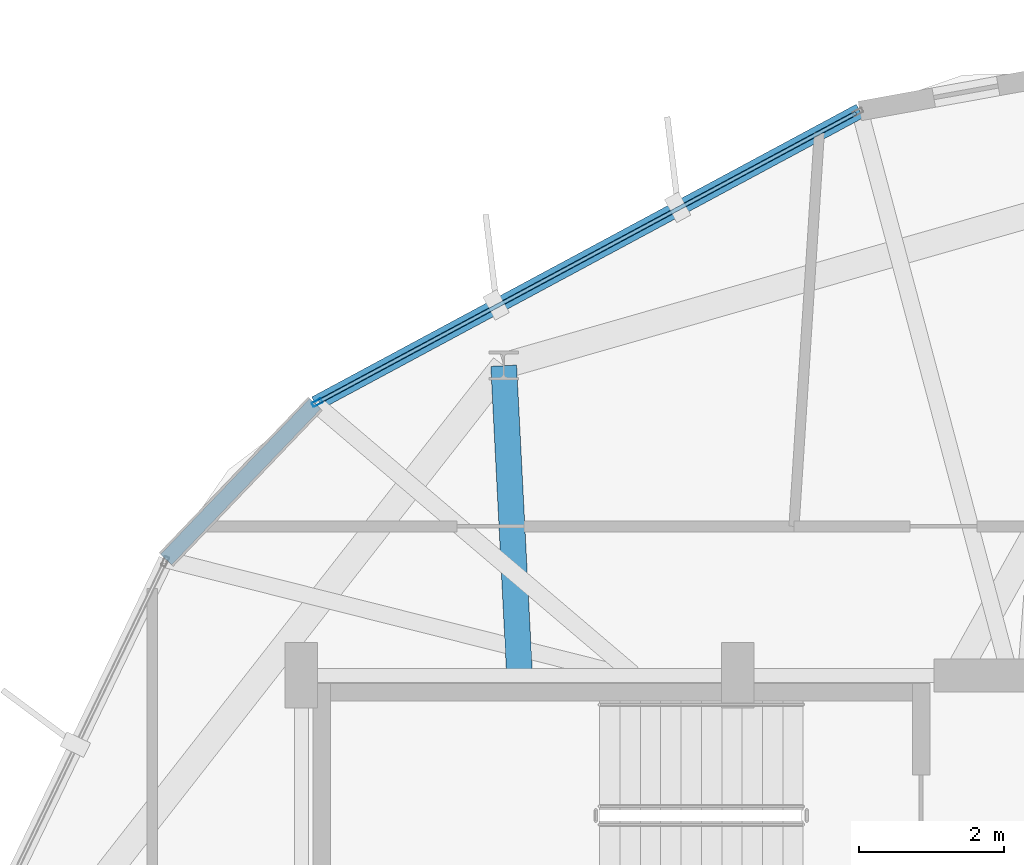
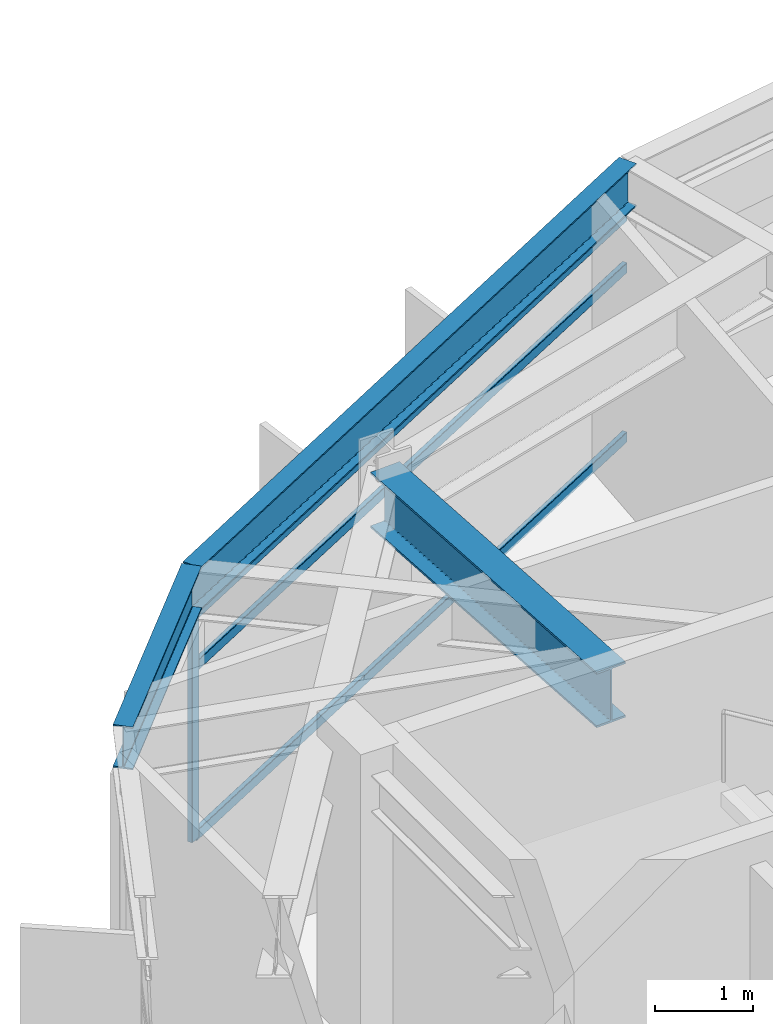
# One storey, part 16 of 26: 4 members, 3 beams, 1 element without a shape of its own.
"""IFC4 building model written with IfcOpenShell, lengths in metres."""

from ifc_helpers import new_model, si_unit, direction, frame, origin, origin_2d, place, context, subcontext, project, spatial, hollow_rectangle, i_section, extrude, material, layer, layer_set, material_profile, profile_set, type_object, element, aggregate, save


model = new_model("IFC4")

# Units and contexts
model_context = context("Model", 3, precision=1e-05, world=origin(), true_north=direction((0.0, 1.0)))
body_context = subcontext(model_context, "Body", "Model", "MODEL_VIEW")
ifc_project = project(units=[si_unit("LENGTHUNIT", "METRE"), si_unit("AREAUNIT", "SQUARE_METRE"), si_unit("VOLUMEUNIT", "CUBIC_METRE"), si_unit("PLANEANGLEUNIT", "RADIAN"), si_unit("MASSUNIT", "GRAM", prefix="KILO")], contexts=[model_context])

# Site, building, storey
site_placement = place(None, origin())
site = spatial("IfcSite", under=ifc_project, at=site_placement, CompositionType="ELEMENT")
building_placement = place(site_placement, origin())
building = spatial("IfcBuilding", under=site, at=building_placement, Name="Soratama Intermodal Tower", CompositionType="ELEMENT")
storey_placement = place(building_placement, frame((0.0, 0.0, 268.75)))
storey = spatial("IfcBuildingStorey", under=building, at=storey_placement, Name="L68", CompositionType="ELEMENT", Elevation=268.75)

# Beams
ifc_material_1 = material(Name="Structural steel ASTM A992 Grade 50", Category="steel")
ifc_material_profile_1 = material_profile(ifc_material_1, i_section(OverallWidth=0.35498046875, OverallDepth=0.695068359375, WebThickness=0.015380859375, FlangeThickness=0.02490234375, FilletRadius=0.01611328125, at=origin_2d()), Name="W27X146")
ifc_profile_set_1 = profile_set([ifc_material_profile_1], Name="Structural steel ASTM A992 Grade 50")
beam_type_1 = type_object("IfcBeamType", Name="BM-RING-W27X146", PredefinedType="BEAM", material=ifc_profile_set_1)
beam_1_placement = place(storey_placement, frame((35.60009765625, 35.0, 3.1025390625), z_axis=(-0.051122516685, 0.998692389221, 0.0), x_axis=(-0.998692389221, -0.051122516685, 0.0)))
element("IfcBeam", 1, at=beam_1_placement, inside=storey, type_object=beam_type_1, Name="BM-L68-RAD-04", PredefinedType="BEAM", context=body_context, shape_type="SweptSolid", body=[
    extrude(i_section(OverallWidth=0.35498046875, OverallDepth=0.695068359375, WebThickness=0.015380859375, FlangeThickness=0.02490234375, FilletRadius=0.01611328125, at=origin_2d()), origin(), (0.0, 0.0, 1.0), 4.2646484375),
])
ifc_material_2 = material(Name="Structural steel ASTM A992 Grade 50", Category="steel")
ifc_material_profile_2 = material_profile(ifc_material_2, i_section(OverallWidth=0.2099609375, OverallDepth=0.537109375, WebThickness=0.010986328125, FlangeThickness=0.017333984375, FilletRadius=0.012939453125, at=origin_2d()), Name="W21X68")
ifc_profile_set_2 = profile_set([ifc_material_profile_2], Name="Structural steel ASTM A992 Grade 50")
beam_type_2 = type_object("IfcBeamType", Name="BM-SPN-W21X68", PredefinedType="SPANDREL", material=ifc_profile_set_2)
beam_2_placement = place(storey_placement, frame((40.278076171875, 42.760986328125, 3.181396484375), z_axis=(-0.880794601631, -0.473498542488, 0.0), x_axis=(0.473498542488, -0.880794601631, 0.0)))
element("IfcBeam", 2, at=beam_2_placement, inside=storey, type_object=beam_type_2, Name="BS-L68-F02", PredefinedType="SPANDREL", context=body_context, shape_type="SweptSolid", body=[
    extrude(i_section(OverallWidth=0.2099609375, OverallDepth=0.537109375, WebThickness=0.010986328125, FlangeThickness=0.017333984375, FilletRadius=0.012939453125, at=origin_2d()), origin(), (0.0, 0.0, 1.0), 8.500244140625),
])
beam_3_placement = place(storey_placement, frame((32.791015625, 38.736083984375, 3.181396484375), z_axis=(-0.691422566435, -0.722450575904, 0.0), x_axis=(0.722450575904, -0.691422566435, 0.0)))
element("IfcBeam", 3, at=beam_3_placement, inside=storey, type_object=beam_type_2, Name="BS-L68-CRN02", PredefinedType="SPANDREL", context=body_context, shape_type="SweptSolid", body=[
    extrude(i_section(OverallWidth=0.2099609375, OverallDepth=0.537109375, WebThickness=0.010986328125, FlangeThickness=0.017333984375, FilletRadius=0.012939453125, at=origin_2d()), origin(), (0.0, 0.0, 1.0), 2.96630859375),
])

# Curtain wall, members
ifc_material_3 = material(Name="Double-glazed aluminium curtain wall", Category="aluminium")
ifc_layer = layer(ifc_material_3, 0.159912109375)
ifc_layer_set = layer_set([ifc_layer], Name="Double-glazed aluminium curtain wall")
curtain_wall_type = type_object("IfcCurtainWallType", Name="CW-SYS-5", PredefinedType="NOTDEFINED", material=ifc_layer_set)
curtain_wall_placement = place(storey_placement, origin())
curtain_wall = element("IfcCurtainWall", 4, at=curtain_wall_placement, inside=storey, type_object=curtain_wall_type, Name="L68 Faceted Curtain Wall F02", PredefinedType="NOTDEFINED")
ifc_material_4 = material(Name="Anodised aluminium AA 6063-T6", Category="aluminium")
ifc_material_profile_3 = material_profile(ifc_material_4, hollow_rectangle(XDim=0.06494140625, YDim=0.139892578125, WallThickness=0.0048828125, InnerFilletRadius=0.0048828125, OuterFilletRadius=0.010009765625, at=origin_2d()), Name="CWM140X65X5")
ifc_profile_set_3 = profile_set([ifc_material_profile_3], Name="Anodised aluminium AA 6063-T6")
member_type_1 = type_object("IfcMemberType", Name="MT-CWM-5", PredefinedType="MULLION", material=ifc_profile_set_3)
member_1_placement = place(storey_placement, frame((32.8173828125, 38.750732421875, 0.0), z_axis=(0.0, 0.0, 1.0), x_axis=(0.473470382738, -0.8808097392, 0.0)))
member_1 = element("IfcMember", 5, at=member_1_placement, type_object=member_type_1, Name="CW-5 mullion 2", PredefinedType="MULLION", context=body_context, shape_type="SweptSolid", body=[
    extrude(hollow_rectangle(XDim=0.06494140625, YDim=0.139892578125, WallThickness=0.0048828125, InnerFilletRadius=0.0048828125, OuterFilletRadius=0.010009765625, at=origin_2d()), origin(), (0.0, 0.0, 1.0), 2.8291015625),
])
ifc_material_5 = material(Name="Anodised aluminium AA 6063-T6", Category="aluminium")
ifc_material_profile_4 = material_profile(ifc_material_5, hollow_rectangle(XDim=0.06005859375, YDim=0.1298828125, WallThickness=0.0048828125, InnerFilletRadius=0.0048828125, OuterFilletRadius=0.010009765625, at=origin_2d()), Name="CWT130X60X5")
ifc_profile_set_4 = profile_set([ifc_material_profile_4], Name="Anodised aluminium AA 6063-T6")
member_type_2 = type_object("IfcMemberType", Name="TT-CWT-2", PredefinedType="USERDEFINED", material=ifc_profile_set_4)
member_2_placement = place(storey_placement, frame((40.224853515625, 42.732421875, 0.030029296875), z_axis=(-0.880815132805, -0.473460348732, 0.0), x_axis=(0.473460348732, -0.880815132805, 0.0)))
member_2 = element("IfcMember", 6, at=member_2_placement, type_object=member_type_2, Name="CW-5 transom 1.1", ObjectType="TRANSOM", PredefinedType="USERDEFINED", context=body_context, shape_type="SweptSolid", body=[
    extrude(hollow_rectangle(XDim=0.06005859375, YDim=0.1298828125, WallThickness=0.0048828125, InnerFilletRadius=0.0048828125, OuterFilletRadius=0.010009765625, at=origin_2d()), origin(), (0.0, 0.0, 1.0), 8.3798828125),
])
member_3_placement = place(storey_placement, frame((40.224853515625, 42.732421875, 2.14990234375), z_axis=(-0.880815132805, -0.473460348732, 0.0), x_axis=(0.473460348732, -0.880815132805, 0.0)))
member_3 = element("IfcMember", 7, at=member_3_placement, type_object=member_type_2, Name="CW-5 transom 1.2", ObjectType="TRANSOM", PredefinedType="USERDEFINED", context=body_context, shape_type="SweptSolid", body=[
    extrude(hollow_rectangle(XDim=0.06005859375, YDim=0.1298828125, WallThickness=0.0048828125, InnerFilletRadius=0.0048828125, OuterFilletRadius=0.010009765625, at=origin_2d()), origin(), (0.0, 0.0, 1.0), 8.3798828125),
])
member_4_placement = place(storey_placement, frame((40.224853515625, 42.732421875, 2.799072265625), z_axis=(-0.880815132805, -0.473460348732, 0.0), x_axis=(0.473460348732, -0.880815132805, 0.0)))
member_4 = element("IfcMember", 8, at=member_4_placement, type_object=member_type_2, Name="CW-5 transom 1.3", ObjectType="TRANSOM", PredefinedType="USERDEFINED", context=body_context, shape_type="SweptSolid", body=[
    extrude(hollow_rectangle(XDim=0.06005859375, YDim=0.1298828125, WallThickness=0.0048828125, InnerFilletRadius=0.0048828125, OuterFilletRadius=0.010009765625, at=origin_2d()), origin(), (0.0, 0.0, 1.0), 8.3798828125),
])
aggregate(curtain_wall, [member_1, member_2, member_3, member_4])

save(model, "model.ifc")
